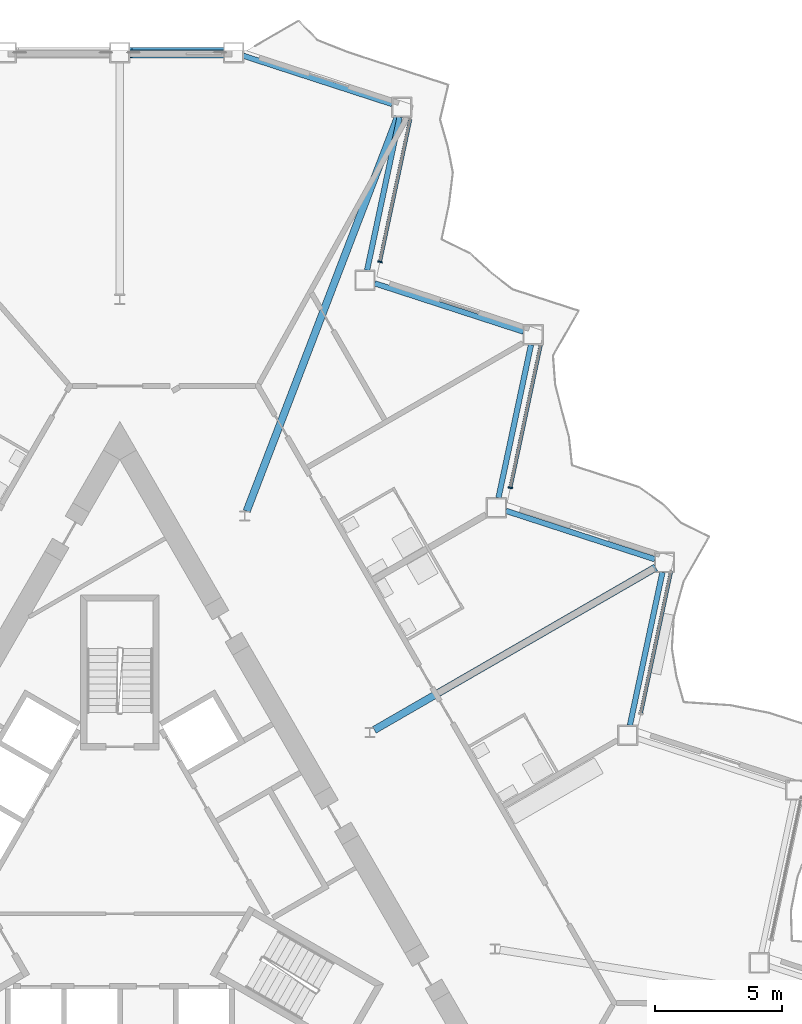
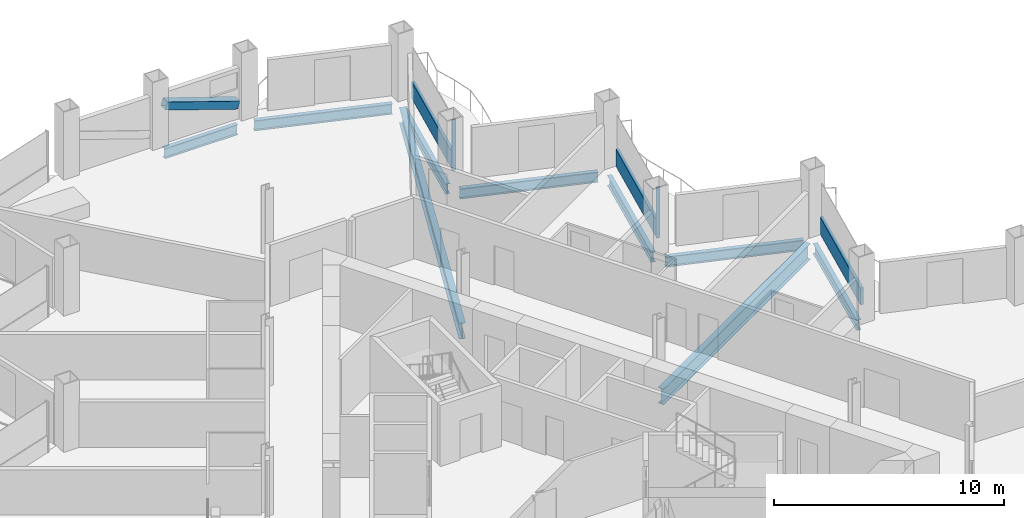
# One storey, part 8 of 23: 9 beams, 6 members, 3 elements without a shape of their own.
"""IFC4 building model written with IfcOpenShell, lengths in metres."""

from ifc_helpers import new_model, si_unit, direction, frame, origin, origin_2d, place, context, subcontext, project, spatial, rectangle, hollow_rectangle, i_section, extrude, material, layer, layer_set, material_profile, profile_set, type_object, element, aggregate, save


model = new_model("IFC4")

# Units and contexts
model_context = context("Model", 3, precision=1e-05, world=origin(), true_north=direction((0.0, 1.0)))
body_context = subcontext(model_context, "Body", "Model", "MODEL_VIEW")
ifc_project = project(units=[si_unit("LENGTHUNIT", "METRE"), si_unit("AREAUNIT", "SQUARE_METRE"), si_unit("VOLUMEUNIT", "CUBIC_METRE"), si_unit("PLANEANGLEUNIT", "RADIAN"), si_unit("MASSUNIT", "GRAM", prefix="KILO")], contexts=[model_context])

# Site, building, storey
site_placement = place(None, origin())
site = spatial("IfcSite", under=ifc_project, at=site_placement, CompositionType="ELEMENT")
building_placement = place(site_placement, origin())
building = spatial("IfcBuilding", under=site, at=building_placement, Name="Cormorant Prow Tower", CompositionType="ELEMENT")
storey_placement = place(building_placement, frame((0.0, 0.0, 183.60009765625)))
storey = spatial("IfcBuildingStorey", under=building, at=storey_placement, Name="L39", CompositionType="ELEMENT", Elevation=183.60009765625)

# Member
ifc_material_1 = material(Name="Structural steel ASTM A500 Gr C", Category="steel")
ifc_material_profile_1 = material_profile(ifc_material_1, hollow_rectangle(XDim=0.406494140625, YDim=0.406494140625, WallThickness=0.01171875, at=origin_2d()), Name="HSS16x16x1/2")
ifc_profile_set_1 = profile_set([ifc_material_profile_1], Name="Structural steel ASTM A500 Gr C")
member_type_1 = type_object("IfcMemberType", Name="Chamfer brace HSS16x16x1/2", PredefinedType="BRACE", material=ifc_profile_set_1)
member_1_placement = place(storey_placement, frame((4.05322265625, 32.3994140625, 0.739990234375), z_axis=(-0.947999999098, 0.0, 0.318270328039), x_axis=(0.0, -1.0, 0.0)))
element("IfcMember", 1, at=member_1_placement, inside=storey, type_object=member_type_1, Name="Chamfer brace BR2 at N00 L39", PredefinedType="BRACE", context=body_context, shape_type="SweptSolid", body=[
    extrude(hollow_rectangle(XDim=0.406494140625, YDim=0.406494140625, WallThickness=0.01171875, at=origin_2d()), origin(), (0.0, 0.0, 1.0), 3.83544921875),
])

# Curtain wall, member
ifc_material_2 = material(Name="Aluminium 6063-T6", Category="aluminium")
ifc_layer = layer(ifc_material_2, 0.179931640625)
ifc_layer_set = layer_set([ifc_layer], Name="Aluminium 6063-T6")
curtain_wall_type = type_object("IfcCurtainWallType", Name="Hotel unitised curtain wall 180", PredefinedType="NOTDEFINED", material=ifc_layer_set)
curtain_wall_1_placement = place(storey_placement, origin())
curtain_wall_1 = element("IfcCurtainWall", 2, at=curtain_wall_1_placement, inside=storey, type_object=curtain_wall_type, Name="Hotel curtain wall ENE06", PredefinedType="NOTDEFINED")
ifc_material_3 = material(Name="Aluminium 6063-T6", Category="aluminium")
ifc_material_profile_2 = material_profile(ifc_material_3, rectangle(XDim=0.179931640625, YDim=0.06005859375, at=origin_2d()), Name="Hotel mullion 60x180")
ifc_profile_set_2 = profile_set([ifc_material_profile_2], Name="Aluminium 6063-T6")
member_type_2 = type_object("IfcMemberType", Name="Hotel mullion 60x180", PredefinedType="MULLION", material=ifc_profile_set_2)
member_2_placement = place(storey_placement, frame((15.350341796875, 15.2958984375, 0.0), z_axis=(0.0, 0.0, 1.0), x_axis=(-0.978147585359, 0.207911763151, 0.0)))
member_2 = element("IfcMember", 3, at=member_2_placement, type_object=member_type_2, Name="Hotel mullion ENE06", PredefinedType="MULLION", context=body_context, shape_type="SweptSolid", body=[
    extrude(rectangle(XDim=0.179931640625, YDim=0.06005859375, at=origin_2d()), origin(), (0.0, 0.0, 1.0), 2.70068359375),
])

curtain_wall_2_placement = place(storey_placement, origin())
curtain_wall_2 = element("IfcCurtainWall", 4, at=curtain_wall_2_placement, inside=storey, type_object=curtain_wall_type, Name="Hotel curtain wall ENE08", PredefinedType="NOTDEFINED")
member_3_placement = place(storey_placement, frame((10.223388671875, 24.176513671875, 0.0), z_axis=(0.0, 0.0, 1.0), x_axis=(-0.978147621102, 0.207911594993, 0.0)))
member_3 = element("IfcMember", 5, at=member_3_placement, type_object=member_type_2, Name="Hotel mullion ENE08", PredefinedType="MULLION", context=body_context, shape_type="SweptSolid", body=[
    extrude(rectangle(XDim=0.179931640625, YDim=0.06005859375, at=origin_2d()), origin(), (0.0, 0.0, 1.0), 2.70068359375),
])

curtain_wall_3_placement = place(storey_placement, origin())
curtain_wall_3 = element("IfcCurtainWall", 6, at=curtain_wall_3_placement, inside=storey, type_object=curtain_wall_type, Name="Hotel curtain wall ENE04", PredefinedType="NOTDEFINED")
ifc_material_4 = material(Name="Terracotta", Category="masonry")
ifc_material_profile_3 = material_profile(ifc_material_4, rectangle(XDim=0.139892578125, YDim=0.89990234375, at=origin_2d()), Name="Hotel terracotta spandrel rail 140x900")
ifc_profile_set_3 = profile_set([ifc_material_profile_3], Name="Terracotta")
member_type_3 = type_object("IfcMemberType", Name="Hotel terracotta spandrel rail 140x900", PredefinedType="USERDEFINED", material=ifc_profile_set_3)
member_4_placement = place(storey_placement, frame((20.483642578125, 6.44482421875, 0.449951171875), z_axis=(0.207915072454, 0.978146881939, 0.0), x_axis=(-0.978146881939, 0.207915072454, 0.0)))
member_4 = element("IfcMember", 7, at=member_4_placement, type_object=member_type_3, Name="Hotel spandrel rail ENE04", ObjectType="TRANSOM", PredefinedType="USERDEFINED", context=body_context, shape_type="SweptSolid", body=[
    extrude(rectangle(XDim=0.139892578125, YDim=0.89990234375, at=origin_2d()), origin(), (0.0, 0.0, 1.0), 5.703125),
])
aggregate(curtain_wall_3, [member_4])

# Member
member_5_placement = place(storey_placement, frame((15.356689453125, 15.325439453125, 0.449951171875), z_axis=(0.207923778595, 0.978145031319, 0.0), x_axis=(-0.978145031319, 0.207923778595, 0.0)))
member_5 = element("IfcMember", 8, at=member_5_placement, type_object=member_type_3, Name="Hotel spandrel rail ENE06", ObjectType="TRANSOM", PredefinedType="USERDEFINED", context=body_context, shape_type="SweptSolid", body=[
    extrude(rectangle(XDim=0.139892578125, YDim=0.89990234375, at=origin_2d()), origin(), (0.0, 0.0, 1.0), 5.703125),
])

aggregate(curtain_wall_1, [member_2, member_5])

member_6_placement = place(storey_placement, frame((10.2294921875, 24.205810546875, 0.449951171875), z_axis=(0.207915072454, 0.978146881939, 0.0), x_axis=(-0.978146881939, 0.207915072454, 0.0)))
member_6 = element("IfcMember", 9, at=member_6_placement, type_object=member_type_3, Name="Hotel spandrel rail ENE08", ObjectType="TRANSOM", PredefinedType="USERDEFINED", context=body_context, shape_type="SweptSolid", body=[
    extrude(rectangle(XDim=0.139892578125, YDim=0.89990234375, at=origin_2d()), origin(), (0.0, 0.0, 1.0), 5.703125),
])

aggregate(curtain_wall_2, [member_3, member_6])

# Beams
ifc_material_5 = material(Name="Structural steel ASTM A992 Gr 50", Category="steel")
ifc_material_profile_4 = material_profile(ifc_material_5, i_section(OverallWidth=0.29296875, OverallDepth=0.845703125, WebThickness=0.015380859375, FlangeThickness=0.0244140625, at=origin_2d()), Name="W33x141")
ifc_profile_set_4 = profile_set([ifc_material_profile_4], Name="Structural steel ASTM A992 Gr 50")
beam_type_1 = type_object("IfcBeamType", Name="Radial floor beam W33x141", PredefinedType="BEAM", material=ifc_profile_set_4)
beam_1_placement = place(storey_placement, frame((10.0048828125, 5.7763671875, -0.77294921875), z_axis=(0.866026069776, 0.499998846467, 0.0), x_axis=(-0.499998846467, 0.866026069776, 0.0)))
element("IfcBeam", 10, at=beam_1_placement, inside=storey, type_object=beam_type_1, Name="Radial floor beam FB2 11 L39", PredefinedType="BEAM", context=body_context, shape_type="SweptSolid", body=[
    extrude(i_section(OverallWidth=0.29296875, OverallDepth=0.845703125, WebThickness=0.015380859375, FlangeThickness=0.0244140625, at=origin_2d()), origin(), (0.0, 0.0, 1.0), 12.76904296875),
])
beam_2_placement = place(storey_placement, frame((4.9873046875, 14.376220703125, -0.77294921875), z_axis=(0.358301123829, 0.933606075742, 0.0), x_axis=(-0.933606075742, 0.358301123829, 0.0)))
element("IfcBeam", 11, at=beam_2_placement, inside=storey, type_object=beam_type_1, Name="Radial floor beam FB2 12 L39", PredefinedType="BEAM", context=body_context, shape_type="SweptSolid", body=[
    extrude(i_section(OverallWidth=0.29296875, OverallDepth=0.845703125, WebThickness=0.015380859375, FlangeThickness=0.0244140625, at=origin_2d()), origin(), (0.0, 0.0, 1.0), 16.604736328125),
])
ifc_material_6 = material(Name="Structural steel ASTM A992 Gr 50", Category="steel")
ifc_material_profile_5 = material_profile(ifc_material_6, i_section(OverallWidth=0.2138671875, OverallDepth=0.549072265625, WebThickness=0.0146484375, FlangeThickness=0.023681640625, at=origin_2d()), Name="W21x93")
ifc_profile_set_5 = profile_set([ifc_material_profile_5], Name="Structural steel ASTM A992 Gr 50")
beam_type_2 = type_object("IfcBeamType", Name="Spandrel beam W21x93", PredefinedType="SPANDREL", material=ifc_profile_set_5)
beam_3_placement = place(storey_placement, frame((20.0478515625, 5.9541015625, -0.624755859375), z_axis=(0.207904811195, 0.978149063018, 0.0), x_axis=(-0.978149063018, 0.207904811195, 0.0)))
element("IfcBeam", 12, at=beam_3_placement, inside=storey, type_object=beam_type_2, Name="Spandrel beam SB2 ENE04-ENE05 L39", PredefinedType="SPANDREL", context=body_context, shape_type="SweptSolid", body=[
    extrude(i_section(OverallWidth=0.2138671875, OverallDepth=0.549072265625, WebThickness=0.0146484375, FlangeThickness=0.023681640625, at=origin_2d()), origin(), (0.0, 0.0, 1.0), 6.149658203125),
])
beam_4_placement = place(storey_placement, frame((21.029052734375, 12.484375, -0.624755859375), z_axis=(-0.951057696564, 0.309013361859, 0.0), x_axis=(-0.309013361859, -0.951057696564, 0.0)))
element("IfcBeam", 13, at=beam_4_placement, inside=storey, type_object=beam_type_2, Name="Spandrel beam SB2 ENE05-ENE06 L39", PredefinedType="SPANDREL", context=body_context, shape_type="SweptSolid", body=[
    extrude(i_section(OverallWidth=0.2138671875, OverallDepth=0.549072265625, WebThickness=0.0146484375, FlangeThickness=0.023681640625, at=origin_2d()), origin(), (0.0, 0.0, 1.0), 6.14990234375),
])
beam_5_placement = place(storey_placement, frame((14.883056640625, 14.899658203125, -0.624755859375), z_axis=(0.207904811195, 0.978149063018, 0.0), x_axis=(-0.978149063018, 0.207904811195, 0.0)))
element("IfcBeam", 14, at=beam_5_placement, inside=storey, type_object=beam_type_2, Name="Spandrel beam SB2 ENE06-ENE07 L39", PredefinedType="SPANDREL", context=body_context, shape_type="SweptSolid", body=[
    extrude(i_section(OverallWidth=0.2138671875, OverallDepth=0.549072265625, WebThickness=0.0146484375, FlangeThickness=0.023681640625, at=origin_2d()), origin(), (0.0, 0.0, 1.0), 6.149658203125),
])
beam_6_placement = place(storey_placement, frame((15.864501953125, 21.429931640625, -0.624755859375), z_axis=(-0.951057696564, 0.309013361859, 0.0), x_axis=(-0.309013361859, -0.951057696564, 0.0)))
element("IfcBeam", 15, at=beam_6_placement, inside=storey, type_object=beam_type_2, Name="Spandrel beam SB2 ENE07-ENE08 L39", PredefinedType="SPANDREL", context=body_context, shape_type="SweptSolid", body=[
    extrude(i_section(OverallWidth=0.2138671875, OverallDepth=0.549072265625, WebThickness=0.0146484375, FlangeThickness=0.023681640625, at=origin_2d()), origin(), (0.0, 0.0, 1.0), 6.14990234375),
])
beam_7_placement = place(storey_placement, frame((9.71826171875, 23.84521484375, -0.624755859375), z_axis=(0.207904811195, 0.978149063018, 0.0), x_axis=(-0.978149063018, 0.207904811195, 0.0)))
element("IfcBeam", 16, at=beam_7_placement, inside=storey, type_object=beam_type_2, Name="Spandrel beam SB2 ENE08-ENE09 L39", PredefinedType="SPANDREL", context=body_context, shape_type="SweptSolid", body=[
    extrude(i_section(OverallWidth=0.2138671875, OverallDepth=0.549072265625, WebThickness=0.0146484375, FlangeThickness=0.023681640625, at=origin_2d()), origin(), (0.0, 0.0, 1.0), 6.149658203125),
])
beam_8_placement = place(storey_placement, frame((10.69970703125, 30.37548828125, -0.624755859375), z_axis=(-0.951057696564, 0.309013361859, 0.0), x_axis=(-0.309013361859, -0.951057696564, 0.0)))
element("IfcBeam", 17, at=beam_8_placement, inside=storey, type_object=beam_type_2, Name="Spandrel beam SB2 ENE09-N00 L39", PredefinedType="SPANDREL", context=body_context, shape_type="SweptSolid", body=[
    extrude(i_section(OverallWidth=0.2138671875, OverallDepth=0.549072265625, WebThickness=0.0146484375, FlangeThickness=0.023681640625, at=origin_2d()), origin(), (0.0, 0.0, 1.0), 6.14990234375),
])
beam_9_placement = place(storey_placement, frame((4.0703125, 32.3994140625, -0.624755859375), z_axis=(-1.0, 0.0, 0.0), x_axis=(0.0, -1.0, 0.0)))
element("IfcBeam", 18, at=beam_9_placement, inside=storey, type_object=beam_type_2, Name="Spandrel beam SB2 N00-N01 L39", PredefinedType="SPANDREL", context=body_context, shape_type="SweptSolid", body=[
    extrude(i_section(OverallWidth=0.2138671875, OverallDepth=0.549072265625, WebThickness=0.0146484375, FlangeThickness=0.023681640625, at=origin_2d()), origin(), (0.0, 0.0, 1.0), 3.67041015625),
])

save(model, "model.ifc")
